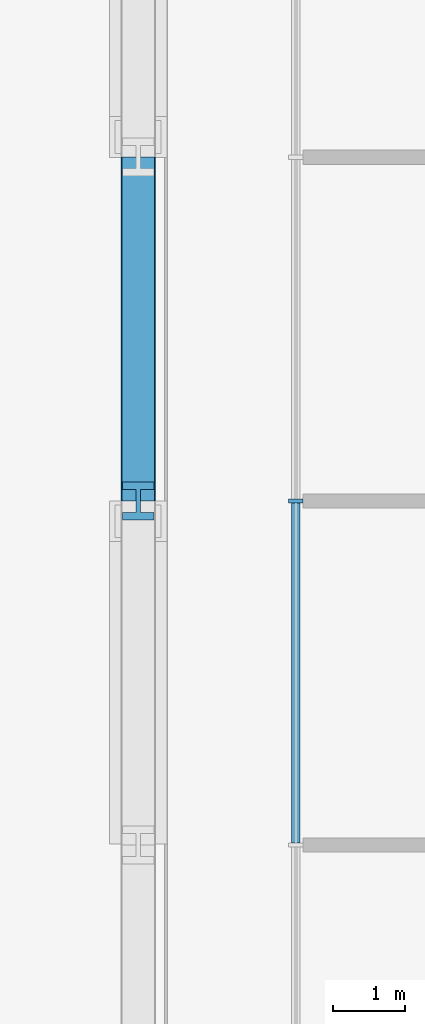
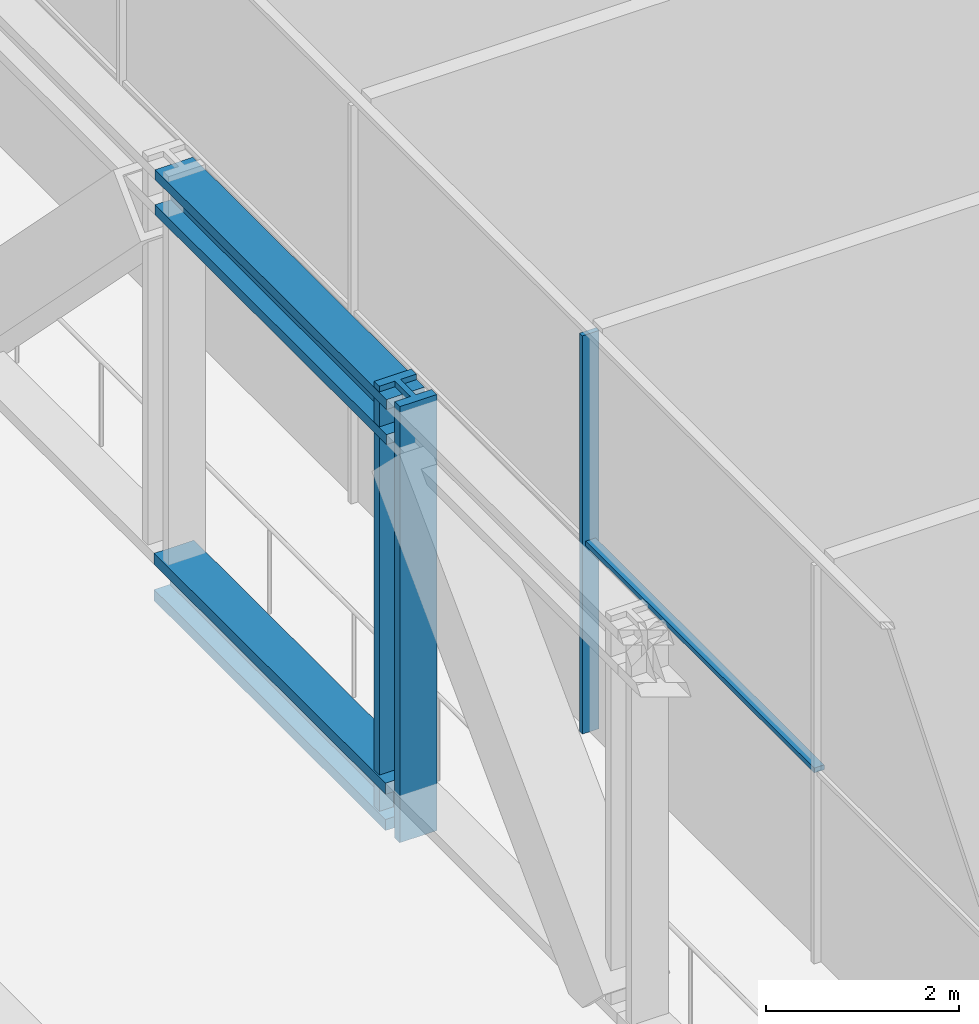
# One storey, part 2 of 22: 5 members, 1 element without a shape of its own.
"""IFC4 building model written with IfcOpenShell, lengths in metres."""

from ifc_helpers import new_model, si_unit, direction, frame, origin, origin_2d, place, context, subcontext, project, spatial, rectangle, i_section, extrude, material, layer, layer_set, material_profile, profile_set, type_object, element, aggregate, save


model = new_model("IFC4")

# Units and contexts
model_context = context("Model", 3, precision=1e-05, world=origin(), true_north=direction((0.0, 1.0)))
body_context = subcontext(model_context, "Body", "Model", "MODEL_VIEW")
ifc_project = project(units=[si_unit("LENGTHUNIT", "METRE"), si_unit("AREAUNIT", "SQUARE_METRE"), si_unit("VOLUMEUNIT", "CUBIC_METRE"), si_unit("PLANEANGLEUNIT", "RADIAN"), si_unit("MASSUNIT", "GRAM", prefix="KILO")], contexts=[model_context])

# Site, building, storey
site_placement = place(None, origin())
site = spatial("IfcSite", under=ifc_project, at=site_placement, CompositionType="ELEMENT")
building_placement = place(site_placement, origin())
building = spatial("IfcBuilding", under=site, at=building_placement, Name="Madar Terraces", CompositionType="ELEMENT")
storey_placement = place(building_placement, frame((0.0, 0.0, 24.0)))
storey = spatial("IfcBuildingStorey", under=building, at=storey_placement, Name="L05", CompositionType="ELEMENT", Elevation=24.0)

# Member
ifc_material_1 = material(Name="Steel ASTM A913 Grade 65", Category="steel")
ifc_material_profile_1 = material_profile(ifc_material_1, i_section(OverallWidth=0.4775390625, OverallDepth=0.599365234375, WebThickness=0.10009765625, FlangeThickness=0.139892578125, at=origin_2d()), Name="W14x873")
ifc_profile_set_1 = profile_set([ifc_material_profile_1], Name="Steel ASTM A913 Grade 65")
member_type_1 = type_object("IfcMemberType", Name="BC1 W14x873", PredefinedType="CHORD", material=ifc_profile_set_1)
member_1_placement = place(storey_placement, frame((0.0, 28.800048828125, -0.120361328125), z_axis=(0.0, -1.0, 0.0), x_axis=(1.0, 0.0, 0.0)))
element("IfcMember", 1, at=member_1_placement, inside=storey, type_object=member_type_1, Name="Exoskeleton truss ring bottom chord BC1", PredefinedType="CHORD", context=body_context, shape_type="SweptSolid", body=[
    extrude(i_section(OverallWidth=0.4775390625, OverallDepth=0.599365234375, WebThickness=0.10009765625, FlangeThickness=0.139892578125, at=origin_2d()), origin(), (0.0, 0.0, 1.0), 4.800048828125),
])

# Curtain wall, members
ifc_material_2 = material(Name="Glass, ceramic frit dark grey, with black aluminium frame", Category="aluminium")
ifc_layer = layer(ifc_material_2, 0.199951171875)
ifc_layer_set = layer_set([ifc_layer], Name="Facade curtain wall, tall glazing")
curtain_wall_type = type_object("IfcCurtainWallType", Name="Facade curtain wall, tall glazing", PredefinedType="NOTDEFINED", material=ifc_layer_set)
curtain_wall_placement = place(storey_placement, origin())
curtain_wall = element("IfcCurtainWall", 2, at=curtain_wall_placement, inside=storey, type_object=curtain_wall_type, Name="Outer skin curtain wall west bay 1", PredefinedType="NOTDEFINED")
ifc_material_3 = material(Name="Aluminium, black anodised", Category="aluminium")
ifc_material_profile_2 = material_profile(ifc_material_3, rectangle(XDim=0.199951171875, YDim=0.06005859375, at=origin_2d()), Name="Facade mullion 60x200")
ifc_profile_set_2 = profile_set([ifc_material_profile_2], Name="Aluminium, black anodised")
member_type_2 = type_object("IfcMemberType", Name="Facade mullion 60x200", PredefinedType="MULLION", material=ifc_profile_set_2)
member_2_placement = place(storey_placement, frame((2.199951171875, 24.0, 0.0), z_axis=(0.0, 0.0, 1.0), x_axis=(1.0, 0.0, 0.0)))
member_2 = element("IfcMember", 3, at=member_2_placement, type_object=member_type_2, Name="Mullion 4", PredefinedType="MULLION", context=body_context, shape_type="SweptSolid", body=[
    extrude(rectangle(XDim=0.199951171875, YDim=0.06005859375, at=origin_2d()), origin(), (0.0, 0.0, 1.0), 5.0400390625),
])
ifc_material_4 = material(Name="Aluminium, black anodised", Category="aluminium")
ifc_material_profile_3 = material_profile(ifc_material_4, rectangle(XDim=0.1201171875, YDim=0.06005859375, at=origin_2d()), Name="Facade transom 60x120")
ifc_profile_set_3 = profile_set([ifc_material_profile_3], Name="Aluminium, black anodised")
member_type_3 = type_object("IfcMemberType", Name="Facade transom 60x120", PredefinedType="USERDEFINED", material=ifc_profile_set_3)
member_3_placement = place(storey_placement, frame((2.199951171875, 23.969970703125, 2.39990234375), z_axis=(0.0, -1.0, 0.0), x_axis=(1.0, 0.0, 0.0)))
member_3 = element("IfcMember", 4, at=member_3_placement, type_object=member_type_3, Name="Transom 6", ObjectType="TRANSOM", PredefinedType="USERDEFINED", context=body_context, shape_type="SweptSolid", body=[
    extrude(rectangle(XDim=0.1201171875, YDim=0.06005859375, at=origin_2d()), origin(), (0.0, 0.0, 1.0), 4.739990234375),
])
aggregate(curtain_wall, [member_2, member_3])

# Members
ifc_material_5 = material(Name="Steel ASTM A913 Grade 65", Category="steel")
ifc_material_profile_4 = material_profile(ifc_material_5, i_section(OverallWidth=0.45458984375, OverallDepth=0.56884765625, WebThickness=0.077880859375, FlangeThickness=0.124755859375, at=origin_2d()), Name="W14x730")
ifc_profile_set_4 = profile_set([ifc_material_profile_4], Name="Steel ASTM A913 Grade 65")
member_type_4 = type_object("IfcMemberType", Name="TC1 W14x730", PredefinedType="CHORD", material=ifc_profile_set_4)
member_4_placement = place(storey_placement, frame((0.0, 28.800048828125, 4.74560546875), z_axis=(0.0, -1.0, 0.0), x_axis=(1.0, 0.0, 0.0)))
element("IfcMember", 5, at=member_4_placement, inside=storey, type_object=member_type_4, Name="Exoskeleton truss ring top chord TC1", PredefinedType="CHORD", context=body_context, shape_type="SweptSolid", body=[
    extrude(i_section(OverallWidth=0.45458984375, OverallDepth=0.56884765625, WebThickness=0.077880859375, FlangeThickness=0.124755859375, at=origin_2d()), origin(), (0.0, 0.0, 1.0), 4.800048828125),
])
ifc_material_6 = material(Name="Steel ASTM A913 Grade 65", Category="steel")
ifc_material_profile_5 = material_profile(ifc_material_6, i_section(OverallWidth=0.44189453125, OverallDepth=0.53076171875, WebThickness=0.06591796875, FlangeThickness=0.105712890625, at=origin_2d()), Name="W14x605")
ifc_profile_set_5 = profile_set([ifc_material_profile_5], Name="Steel ASTM A913 Grade 65")
member_type_5 = type_object("IfcMemberType", Name="TV1 W14x605", PredefinedType="POST", material=ifc_profile_set_5)
member_5_placement = place(storey_placement, frame((0.0, 24.0, -0.419921875), z_axis=(0.0, 0.0, 1.0), x_axis=(1.0, 0.0, 0.0)))
element("IfcMember", 6, at=member_5_placement, inside=storey, type_object=member_type_5, Name="Exoskeleton truss ring post TV1", PredefinedType="POST", context=body_context, shape_type="SweptSolid", body=[
    extrude(i_section(OverallWidth=0.44189453125, OverallDepth=0.53076171875, WebThickness=0.06591796875, FlangeThickness=0.105712890625, at=origin_2d()), origin(), (0.0, 0.0, 1.0), 5.52001953125),
])

save(model, "model.ifc")
